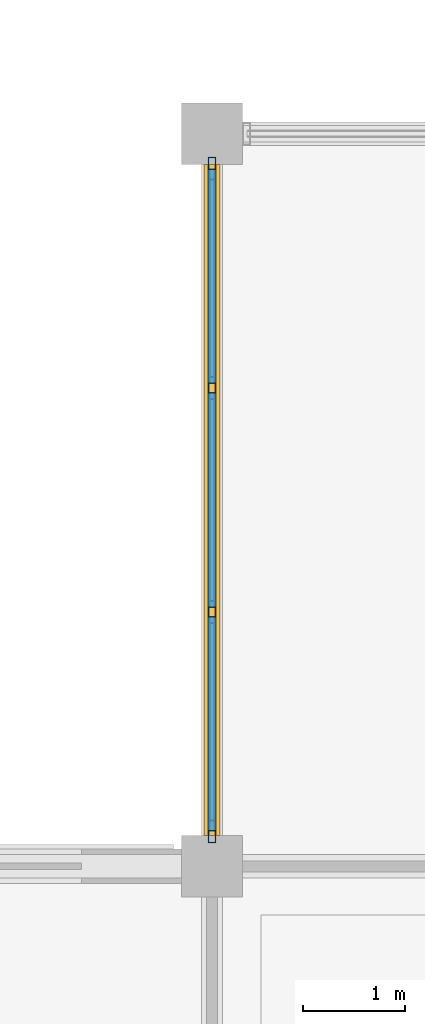
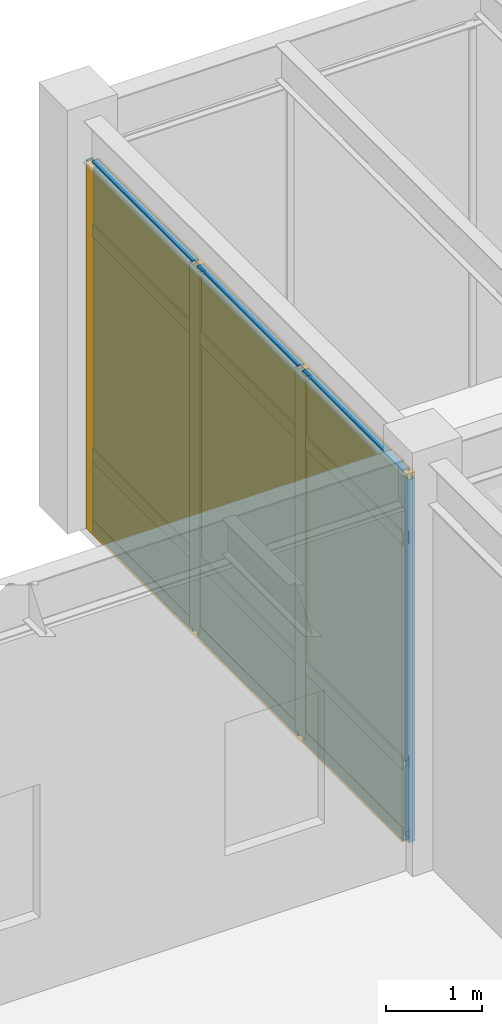
# One storey, part 52 of 97: 16 members, 6 plates, 1 curtain wall.
"""IFC4 building model written with IfcOpenShell, lengths in metres."""

from ifc_helpers import new_model, si_unit, direction, frame, origin, origin_2d, place, context, subcontext, project, spatial, rectangle, hollow_rectangle, extrude, material, layer, layer_set, material_profile, profile_set, type_object, element, aggregate, save


model = new_model("IFC4")

# Units and contexts
model_context = context("Model", 3, precision=1e-05, world=origin(), true_north=direction((0.0, 1.0)))
body_context = subcontext(model_context, "Body", "Model", "MODEL_VIEW")
ifc_project = project(units=[si_unit("LENGTHUNIT", "METRE"), si_unit("AREAUNIT", "SQUARE_METRE"), si_unit("VOLUMEUNIT", "CUBIC_METRE"), si_unit("PLANEANGLEUNIT", "RADIAN"), si_unit("MASSUNIT", "GRAM", prefix="KILO")], contexts=[model_context])

# Member
ifc_material_1 = material(Name="Anodized Aluminium 6063-T6", Category="aluminium")
ifc_material_profile_1 = material_profile(ifc_material_1, hollow_rectangle(XDim=0.074951171875, YDim=0.219970703125, WallThickness=0.0048828125, at=origin_2d()), Name="ALU 75x220x5")
ifc_profile_set_1 = profile_set([ifc_material_profile_1], Name="Anodized Aluminium 6063-T6")
member_type_1 = type_object("IfcMemberType", Name="CWM-75X180", PredefinedType="MULLION", material=ifc_profile_set_1)
site_placement = place(None, origin())
building_placement = place(site_placement, origin())
storey_placement = place(building_placement, origin())
member_1_placement = place(storey_placement, frame((64.800048828125, 50.739990234375, 0.02001953125), z_axis=(0.0, 0.0, 1.0), x_axis=(1.0, 0.0, 0.0)))
member_1 = element("IfcMember", 1, at=member_1_placement, type_object=member_type_1, Name="Curtain wall mullion CW-L01-09-07-W-00", PredefinedType="MULLION", context=body_context, shape_type="SweptSolid", body=[
    extrude(hollow_rectangle(XDim=0.074951171875, YDim=0.219970703125, WallThickness=0.0048828125, at=origin_2d()), origin(), (0.0, 0.0, 1.0), 4.626953125),
])

member_2_placement = place(storey_placement, frame((64.800048828125, 52.89990234375, 0.02001953125), z_axis=(0.0, 0.0, 1.0), x_axis=(1.0, 0.0, 0.0)))
member_2 = element("IfcMember", 2, at=member_2_placement, type_object=member_type_1, Name="Curtain wall mullion CW-L01-09-07-W-01", PredefinedType="MULLION", context=body_context, shape_type="SweptSolid", body=[
    extrude(hollow_rectangle(XDim=0.074951171875, YDim=0.219970703125, WallThickness=0.0048828125, at=origin_2d()), origin(), (0.0, 0.0, 1.0), 4.626953125),
])

member_3_placement = place(storey_placement, frame((64.800048828125, 55.10009765625, 0.02001953125), z_axis=(0.0, 0.0, 1.0), x_axis=(1.0, 0.0, 0.0)))
member_3 = element("IfcMember", 3, at=member_3_placement, type_object=member_type_1, Name="Curtain wall mullion CW-L01-09-07-W-02", PredefinedType="MULLION", context=body_context, shape_type="SweptSolid", body=[
    extrude(hollow_rectangle(XDim=0.074951171875, YDim=0.219970703125, WallThickness=0.0048828125, at=origin_2d()), origin(), (0.0, 0.0, 1.0), 4.626953125),
])

member_4_placement = place(storey_placement, frame((64.800048828125, 57.260009765625, 0.02001953125), z_axis=(0.0, 0.0, 1.0), x_axis=(1.0, 0.0, 0.0)))
member_4 = element("IfcMember", 4, at=member_4_placement, type_object=member_type_1, Name="Curtain wall mullion CW-L01-09-07-W-03", PredefinedType="MULLION", context=body_context, shape_type="SweptSolid", body=[
    extrude(hollow_rectangle(XDim=0.074951171875, YDim=0.219970703125, WallThickness=0.0048828125, at=origin_2d()), origin(), (0.0, 0.0, 1.0), 4.626953125),
])

ifc_material_profile_2 = material_profile(ifc_material_1, hollow_rectangle(XDim=0.074951171875, YDim=0.159912109375, WallThickness=0.00390625, at=origin_2d()), Name="ALU 75x160x4")
ifc_profile_set_2 = profile_set([ifc_material_profile_2], Name="Anodized Aluminium 6063-T6")
member_type_2 = type_object("IfcMemberType", Name="CWT-75X150", PredefinedType="USERDEFINED", material=ifc_profile_set_2)
member_5_placement = place(storey_placement, frame((64.800048828125, 50.75, 0.050048828125), z_axis=(0.0, 1.0, 0.0), x_axis=(-1.0, 0.0, 0.0)))
member_5 = element("IfcMember", 5, at=member_5_placement, type_object=member_type_2, Name="Curtain wall transom CW-L01-09-07-W-1.01", ObjectType="TRANSOM", PredefinedType="USERDEFINED", context=body_context, shape_type="SweptSolid", body=[
    extrude(hollow_rectangle(XDim=0.074951171875, YDim=0.159912109375, WallThickness=0.00390625, at=origin_2d()), origin(), (0.0, 0.0, 1.0), 2.10009765625),
])

member_6_placement = place(storey_placement, frame((64.800048828125, 52.949951171875, 0.050048828125), z_axis=(0.0, 1.0, 0.0), x_axis=(-1.0, 0.0, 0.0)))
member_6 = element("IfcMember", 6, at=member_6_placement, type_object=member_type_2, Name="Curtain wall transom CW-L01-09-07-W-1.02", ObjectType="TRANSOM", PredefinedType="USERDEFINED", context=body_context, shape_type="SweptSolid", body=[
    extrude(hollow_rectangle(XDim=0.074951171875, YDim=0.159912109375, WallThickness=0.00390625, at=origin_2d()), origin(), (0.0, 0.0, 1.0), 2.10009765625),
])

member_7_placement = place(storey_placement, frame((64.800048828125, 55.14990234375, 0.050048828125), z_axis=(0.0, 1.0, 0.0), x_axis=(-1.0, 0.0, 0.0)))
member_7 = element("IfcMember", 7, at=member_7_placement, type_object=member_type_2, Name="Curtain wall transom CW-L01-09-07-W-1.03", ObjectType="TRANSOM", PredefinedType="USERDEFINED", context=body_context, shape_type="SweptSolid", body=[
    extrude(hollow_rectangle(XDim=0.074951171875, YDim=0.159912109375, WallThickness=0.00390625, at=origin_2d()), origin(), (0.0, 0.0, 1.0), 2.10009765625),
])

member_8_placement = place(storey_placement, frame((64.800048828125, 50.75, 0.949951171875), z_axis=(0.0, 1.0, 0.0), x_axis=(-1.0, 0.0, 0.0)))
member_8 = element("IfcMember", 8, at=member_8_placement, type_object=member_type_2, Name="Curtain wall transom CW-L01-09-07-W-2.01", ObjectType="TRANSOM", PredefinedType="USERDEFINED", context=body_context, shape_type="SweptSolid", body=[
    extrude(hollow_rectangle(XDim=0.074951171875, YDim=0.159912109375, WallThickness=0.00390625, at=origin_2d()), origin(), (0.0, 0.0, 1.0), 2.10009765625),
])

member_9_placement = place(storey_placement, frame((64.800048828125, 52.949951171875, 0.949951171875), z_axis=(0.0, 1.0, 0.0), x_axis=(-1.0, 0.0, 0.0)))
member_9 = element("IfcMember", 9, at=member_9_placement, type_object=member_type_2, Name="Curtain wall transom CW-L01-09-07-W-2.02", ObjectType="TRANSOM", PredefinedType="USERDEFINED", context=body_context, shape_type="SweptSolid", body=[
    extrude(hollow_rectangle(XDim=0.074951171875, YDim=0.159912109375, WallThickness=0.00390625, at=origin_2d()), origin(), (0.0, 0.0, 1.0), 2.10009765625),
])

member_10_placement = place(storey_placement, frame((64.800048828125, 55.14990234375, 0.949951171875), z_axis=(0.0, 1.0, 0.0), x_axis=(-1.0, 0.0, 0.0)))
member_10 = element("IfcMember", 10, at=member_10_placement, type_object=member_type_2, Name="Curtain wall transom CW-L01-09-07-W-2.03", ObjectType="TRANSOM", PredefinedType="USERDEFINED", context=body_context, shape_type="SweptSolid", body=[
    extrude(hollow_rectangle(XDim=0.074951171875, YDim=0.159912109375, WallThickness=0.00390625, at=origin_2d()), origin(), (0.0, 0.0, 1.0), 2.10009765625),
])

member_11_placement = place(storey_placement, frame((64.800048828125, 50.75, 3.81689453125), z_axis=(0.0, 1.0, 0.0), x_axis=(-1.0, 0.0, 0.0)))
member_11 = element("IfcMember", 11, at=member_11_placement, type_object=member_type_2, Name="Curtain wall transom CW-L01-09-07-W-3.01", ObjectType="TRANSOM", PredefinedType="USERDEFINED", context=body_context, shape_type="SweptSolid", body=[
    extrude(hollow_rectangle(XDim=0.074951171875, YDim=0.159912109375, WallThickness=0.00390625, at=origin_2d()), origin(), (0.0, 0.0, 1.0), 2.10009765625),
])

member_12_placement = place(storey_placement, frame((64.800048828125, 52.949951171875, 3.81689453125), z_axis=(0.0, 1.0, 0.0), x_axis=(-1.0, 0.0, 0.0)))
member_12 = element("IfcMember", 12, at=member_12_placement, type_object=member_type_2, Name="Curtain wall transom CW-L01-09-07-W-3.02", ObjectType="TRANSOM", PredefinedType="USERDEFINED", context=body_context, shape_type="SweptSolid", body=[
    extrude(hollow_rectangle(XDim=0.074951171875, YDim=0.159912109375, WallThickness=0.00390625, at=origin_2d()), origin(), (0.0, 0.0, 1.0), 2.10009765625),
])

member_13_placement = place(storey_placement, frame((64.800048828125, 55.14990234375, 3.81689453125), z_axis=(0.0, 1.0, 0.0), x_axis=(-1.0, 0.0, 0.0)))
member_13 = element("IfcMember", 13, at=member_13_placement, type_object=member_type_2, Name="Curtain wall transom CW-L01-09-07-W-3.03", ObjectType="TRANSOM", PredefinedType="USERDEFINED", context=body_context, shape_type="SweptSolid", body=[
    extrude(hollow_rectangle(XDim=0.074951171875, YDim=0.159912109375, WallThickness=0.00390625, at=origin_2d()), origin(), (0.0, 0.0, 1.0), 2.10009765625),
])

member_14_placement = place(storey_placement, frame((64.800048828125, 50.75, 4.616943359375), z_axis=(0.0, 1.0, 0.0), x_axis=(-1.0, 0.0, 0.0)))
member_14 = element("IfcMember", 14, at=member_14_placement, type_object=member_type_2, Name="Curtain wall transom CW-L01-09-07-W-4.01", ObjectType="TRANSOM", PredefinedType="USERDEFINED", context=body_context, shape_type="SweptSolid", body=[
    extrude(hollow_rectangle(XDim=0.074951171875, YDim=0.159912109375, WallThickness=0.00390625, at=origin_2d()), origin(), (0.0, 0.0, 1.0), 2.10009765625),
])

member_15_placement = place(storey_placement, frame((64.800048828125, 52.949951171875, 4.616943359375), z_axis=(0.0, 1.0, 0.0), x_axis=(-1.0, 0.0, 0.0)))
member_15 = element("IfcMember", 15, at=member_15_placement, type_object=member_type_2, Name="Curtain wall transom CW-L01-09-07-W-4.02", ObjectType="TRANSOM", PredefinedType="USERDEFINED", context=body_context, shape_type="SweptSolid", body=[
    extrude(hollow_rectangle(XDim=0.074951171875, YDim=0.159912109375, WallThickness=0.00390625, at=origin_2d()), origin(), (0.0, 0.0, 1.0), 2.10009765625),
])

member_16_placement = place(storey_placement, frame((64.800048828125, 55.14990234375, 4.616943359375), z_axis=(0.0, 1.0, 0.0), x_axis=(-1.0, 0.0, 0.0)))
member_16 = element("IfcMember", 16, at=member_16_placement, type_object=member_type_2, Name="Curtain wall transom CW-L01-09-07-W-4.03", ObjectType="TRANSOM", PredefinedType="USERDEFINED", context=body_context, shape_type="SweptSolid", body=[
    extrude(hollow_rectangle(XDim=0.074951171875, YDim=0.159912109375, WallThickness=0.00390625, at=origin_2d()), origin(), (0.0, 0.0, 1.0), 2.10009765625),
])

# Plate
ifc_material_2 = material(Name="Acoustic Laminated Low-E Glazing", Category="glass")
ifc_layer_1 = layer(ifc_material_2, 0.0439453125)
ifc_layer_set_1 = layer_set([ifc_layer_1], Name="Acoustic Laminated Low-E Glazing")
plate_type_1 = type_object("IfcPlateType", Name="CWP-IGU-44", PredefinedType="CURTAIN_PANEL", material=ifc_layer_set_1)
plate_1_placement = place(storey_placement, frame((64.800048828125, 51.800048828125, 0.990234375), z_axis=(0.0, 0.0, 1.0), x_axis=(0.0, 1.0, 0.0)))
plate_1 = element("IfcPlate", 17, at=plate_1_placement, type_object=plate_type_1, Name="Curtain wall vision glazing CW-L01-09-07-W-01", PredefinedType="CURTAIN_PANEL", context=body_context, shape_type="SweptSolid", body=[
    extrude(rectangle(XDim=2.110107421875, YDim=0.0400390625, at=origin_2d()), origin(), (0.0, 0.0, 1.0), 3.616943359375),
])

plate_2_placement = place(storey_placement, frame((64.800048828125, 54.0, 0.990234375), z_axis=(0.0, 0.0, 1.0), x_axis=(0.0, 1.0, 0.0)))
plate_2 = element("IfcPlate", 18, at=plate_2_placement, type_object=plate_type_1, Name="Curtain wall vision glazing CW-L01-09-07-W-02", PredefinedType="CURTAIN_PANEL", context=body_context, shape_type="SweptSolid", body=[
    extrude(rectangle(XDim=2.110107421875, YDim=0.0400390625, at=origin_2d()), origin(), (0.0, 0.0, 1.0), 3.616943359375),
])

plate_3_placement = place(storey_placement, frame((64.800048828125, 56.199951171875, 0.990234375), z_axis=(0.0, 0.0, 1.0), x_axis=(0.0, 1.0, 0.0)))
plate_3 = element("IfcPlate", 19, at=plate_3_placement, type_object=plate_type_1, Name="Curtain wall vision glazing CW-L01-09-07-W-03", PredefinedType="CURTAIN_PANEL", context=body_context, shape_type="SweptSolid", body=[
    extrude(rectangle(XDim=2.110107421875, YDim=0.0400390625, at=origin_2d()), origin(), (0.0, 0.0, 1.0), 3.616943359375),
])

ifc_material_3 = material(Name="Insulated Stone-Composite Spandrel", Category="masonry")
ifc_layer_2 = layer(ifc_material_3, 0.068115234375)
ifc_layer_set_2 = layer_set([ifc_layer_2], Name="Insulated Stone-Composite Spandrel")
plate_type_2 = type_object("IfcPlateType", Name="CWP-SPN-68", PredefinedType="CURTAIN_PANEL", material=ifc_layer_set_2)
plate_4_placement = place(storey_placement, frame((64.800048828125, 51.800048828125, 0.080078125), z_axis=(0.0, 0.0, 1.0), x_axis=(0.0, 1.0, 0.0)))
plate_4 = element("IfcPlate", 20, at=plate_4_placement, type_object=plate_type_2, Name="Curtain wall spandrel panel CW-L01-09-07-W-01", PredefinedType="CURTAIN_PANEL", context=body_context, shape_type="SweptSolid", body=[
    extrude(rectangle(XDim=2.110107421875, YDim=0.06005859375, at=origin_2d()), origin(), (0.0, 0.0, 1.0), 0.840087890625),
])

plate_5_placement = place(storey_placement, frame((64.800048828125, 54.0, 0.080078125), z_axis=(0.0, 0.0, 1.0), x_axis=(0.0, 1.0, 0.0)))
plate_5 = element("IfcPlate", 21, at=plate_5_placement, type_object=plate_type_2, Name="Curtain wall spandrel panel CW-L01-09-07-W-02", PredefinedType="CURTAIN_PANEL", context=body_context, shape_type="SweptSolid", body=[
    extrude(rectangle(XDim=2.110107421875, YDim=0.06005859375, at=origin_2d()), origin(), (0.0, 0.0, 1.0), 0.840087890625),
])

plate_6_placement = place(storey_placement, frame((64.800048828125, 56.199951171875, 0.080078125), z_axis=(0.0, 0.0, 1.0), x_axis=(0.0, 1.0, 0.0)))
plate_6 = element("IfcPlate", 22, at=plate_6_placement, type_object=plate_type_2, Name="Curtain wall spandrel panel CW-L01-09-07-W-03", PredefinedType="CURTAIN_PANEL", context=body_context, shape_type="SweptSolid", body=[
    extrude(rectangle(XDim=2.110107421875, YDim=0.06005859375, at=origin_2d()), origin(), (0.0, 0.0, 1.0), 0.840087890625),
])

# Site, building, storey
site = spatial("IfcSite", under=ifc_project, at=site_placement, CompositionType="ELEMENT")
building = spatial("IfcBuilding", under=site, at=building_placement, Name="Sillqori Civic Hall", CompositionType="ELEMENT")
storey = spatial("IfcBuildingStorey", under=building, at=storey_placement, Name="L01", CompositionType="ELEMENT", Elevation=0.0)

# Curtain wall
ifc_material_4 = material(Name="Anodized Aluminium Curtain Wall System", Category="aluminium")
curtain_wall_type = type_object("IfcCurtainWallType", Name="CW-SF-480", PredefinedType="NOTDEFINED", material=ifc_material_4)
curtain_wall_placement = place(storey_placement, frame((64.800048828125, 54.0, 0.0), z_axis=(0.0, 0.0, 1.0), x_axis=(0.0, 1.0, 0.0)))
curtain_wall = element("IfcCurtainWall", 23, at=curtain_wall_placement, inside=storey, type_object=curtain_wall_type, Name="L01 unitised curtain wall CW-L01-09-07-W", PredefinedType="NOTDEFINED", context=body_context, shape_type="SweptSolid", body=[
    extrude(rectangle(XDim=6.60009765625, YDim=0.159912109375, at=origin_2d()), origin(), (0.0, 0.0, 1.0), 4.6669921875),
])

aggregate(curtain_wall, [member_1, member_2, member_3, member_4, member_5, member_6, member_7, member_8, member_9, member_10, member_11, member_12, member_13, member_14, member_15, member_16, plate_4, plate_1, plate_5, plate_2, plate_6, plate_3])

save(model, "model.ifc")
